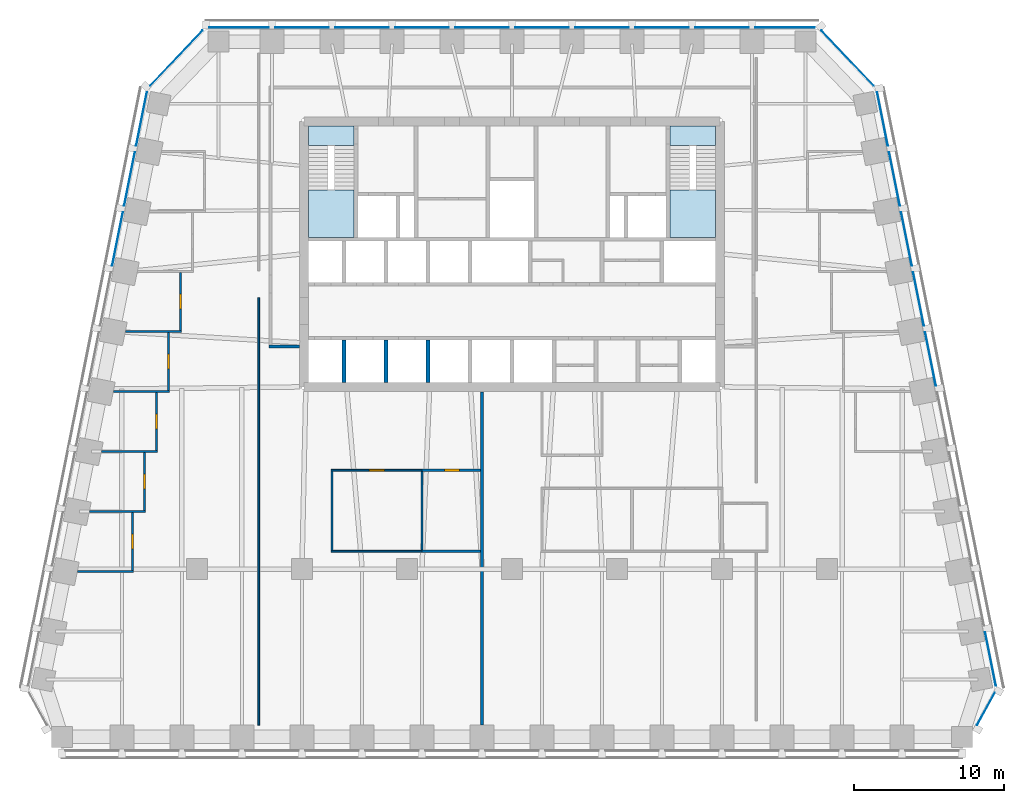
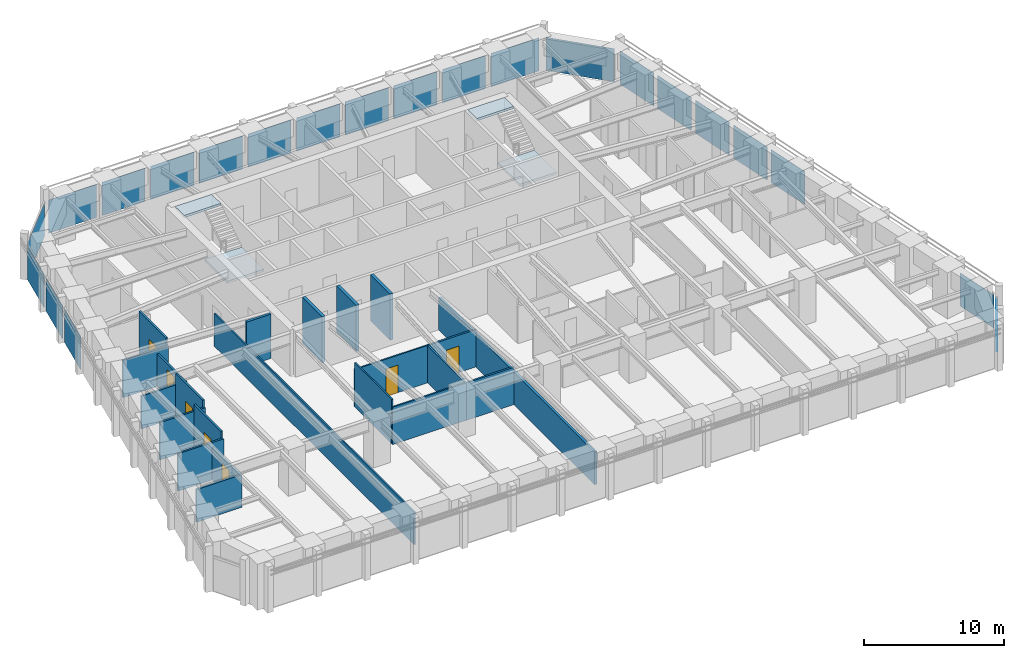
# One storey, part 5 of 10: 22 plates, 22 walls, 7 doors, 4 slabs, 7 openings, 8 elements without a shape of their own.
"""IFC4 building model written with IfcOpenShell, lengths in metres."""

import ifcopenshell
import ifcopenshell.guid

model = None  # the IFC model being written
_history = None  # IfcOwnerHistory: only IFC2X3 demands one
_inside = {}  # id of a spatial element -> (the spatial element, [elements in it])
_under = {}  # id of a project, library or spatial element -> (it, [spatial elements below it])
_declared = {}  # id of a project -> (the project, [libraries it declares])
_typed = {}  # id of a type object -> (the type object, [elements of that type])
_made_of = {}  # id of a material, layer set ... -> (it, [elements and type objects made of it])


def new_model(schema):
    """Start an empty IFC model of exactly this schema.

    Asked for "IFC4X3", IfcOpenShell would pick the latest addendum, in which some entities
    have other attributes; the version numbers below select the first issue.
    IFC2X3 requires an IfcOwnerHistory on every rooted entity: one is made here for all.
    """
    global model, _history
    if schema == "IFC4X3":
        model = ifcopenshell.file(schema_version=(4, 3, 0, 0))
    else:
        model = ifcopenshell.file(schema=schema)
    _inside.clear()
    _under.clear()
    _declared.clear()
    _typed.clear()
    _made_of.clear()
    _history = None
    if model.schema == "IFC2X3":
        org = make("IfcOrganization", Name="unknown")
        user = make(
            "IfcPersonAndOrganization",
            ThePerson=make("IfcPerson", FamilyName="unknown"),
            TheOrganization=org,
        )
        app = make(
            "IfcApplication",
            ApplicationDeveloper=org,
            Version="unknown",
            ApplicationFullName="unknown",
            ApplicationIdentifier="unknown",
        )
        _history = make(
            "IfcOwnerHistory",
            OwningUser=user,
            OwningApplication=app,
            ChangeAction="ADDED",
            CreationDate=0,
        )
    return model


def make(cls, **values):
    """One entity of the class cls with the attributes given. An attribute that is None is left unset."""
    return model.create_entity(
        cls, **{name: value for name, value in values.items() if value is not None}
    )


def rooted(cls, **values):
    """An entity with a GlobalId (a new one), such as an element, a storey or a relation."""
    return make(cls, GlobalId=ifcopenshell.guid.new(), OwnerHistory=_history, **values)


def si_unit(unit_type, name, prefix=None):
    """IfcSIUnit, for example si_unit("LENGTHUNIT", "METRE", prefix="MILLI")."""
    return make("IfcSIUnit", UnitType=unit_type, Prefix=prefix, Name=name)


def assignment(units):
    """IfcUnitAssignment: the units of a project."""
    return None if units is None else make("IfcUnitAssignment", Units=units)


def point(xyz):
    """IfcCartesianPoint."""
    return None if xyz is None else make("IfcCartesianPoint", Coordinates=xyz)


def direction(xyz):
    """IfcDirection."""
    return None if xyz is None else make("IfcDirection", DirectionRatios=xyz)


def frame(location, z_axis=None, x_axis=None):
    """IfcAxis2Placement3D, a coordinate frame: its origin and axes. An axis left out is left unset."""
    return make(
        "IfcAxis2Placement3D",
        Location=point(location),
        Axis=direction(z_axis),
        RefDirection=direction(x_axis),
    )


def frame_2d(location, x_axis=None):
    """IfcAxis2Placement2D, a coordinate frame in the plane: its origin and x axis."""
    return make(
        "IfcAxis2Placement2D", Location=point(location), RefDirection=direction(x_axis)
    )


def origin():
    """The frame at (0, 0, 0) with its axes left unset."""
    return frame((0.0, 0.0, 0.0))


def origin_2d():
    """The frame at (0, 0) in the plane with its x axis left unset."""
    return frame_2d((0.0, 0.0))


def place(relative_to, where):
    """IfcLocalPlacement: puts the frame where relative to a parent placement (None: the world)."""
    return make(
        "IfcLocalPlacement", PlacementRelTo=relative_to, RelativePlacement=where
    )


def context(
    kind, dimensions, precision=None, world=None, true_north=None, identifier=None
):
    """IfcGeometricRepresentationContext, for example the 3D "Model" context."""
    return make(
        "IfcGeometricRepresentationContext",
        ContextIdentifier=identifier,
        ContextType=kind,
        CoordinateSpaceDimension=dimensions,
        Precision=precision,
        WorldCoordinateSystem=world,
        TrueNorth=true_north,
    )


def subcontext(parent, identifier, kind, view, scale=None):
    """IfcGeometricRepresentationSubContext, for example "Body" below "Model"."""
    return make(
        "IfcGeometricRepresentationSubContext",
        ContextIdentifier=identifier,
        ContextType=kind,
        ParentContext=parent,
        TargetScale=scale,
        TargetView=view,
    )


def project(units=None, contexts=None):
    """IfcProject with its units and contexts."""
    return rooted(
        "IfcProject",
        Name="project",
        RepresentationContexts=contexts,
        UnitsInContext=assignment(units),
    )


def spatial(cls, under=None, at=None, **own):
    """A site, building, storey or space (cls), placed at a placement, below another one or the project."""
    s = rooted(cls, ObjectPlacement=at, **own)
    if under is not None:
        _under.setdefault(under.id(), (under, []))[1].append(s)
    return s


def polyline(points):
    """IfcPolyline through the points."""
    return make("IfcPolyline", Points=[point(p) for p in points])


def profile(cls, at=None, kind="AREA", **sizes):
    """A parametric profile (cls). Its sizes go by their IFC names, for example OverallWidth=200.0."""
    return make(cls, ProfileType=kind, Position=at, **sizes)


def rectangle(**sizes):
    """IfcRectangleProfileDef."""
    return profile("IfcRectangleProfileDef", **sizes)


def outline(outer, holes=None, kind="AREA"):
    """IfcArbitraryClosedProfileDef: a profile drawn as a closed curve; with holes, ...WithVoids."""
    if holes is None:
        return make("IfcArbitraryClosedProfileDef", ProfileType=kind, OuterCurve=outer)
    return make(
        "IfcArbitraryProfileDefWithVoids",
        ProfileType=kind,
        OuterCurve=outer,
        InnerCurves=holes,
    )


def extrude(swept, where, along, depth):
    """IfcExtrudedAreaSolid: the profile swept, set in the frame where, extruded along a direction by depth."""
    return make(
        "IfcExtrudedAreaSolid",
        SweptArea=swept,
        Position=where,
        ExtrudedDirection=direction(along),
        Depth=depth,
    )


def shape(context_of_items, identifier, shape_type, items):
    """IfcShapeRepresentation: the items that make up one representation, for example the "Body"."""
    return make(
        "IfcShapeRepresentation",
        ContextOfItems=context_of_items,
        RepresentationIdentifier=identifier,
        RepresentationType=shape_type,
        Items=items,
    )


def material(Name=None, Category=None):
    """IfcMaterial."""
    return make("IfcMaterial", Name=Name, Category=Category)


def layer(
    of_material, thickness, ventilated=None, Name=None, Category=None, Priority=None
):
    """IfcMaterialLayer: one layer of a wall or slab, of a material (None: an air gap)."""
    return make(
        "IfcMaterialLayer",
        Material=of_material,
        LayerThickness=thickness,
        IsVentilated=ventilated,
        Name=Name,
        Category=Category,
        Priority=Priority,
    )


def layer_set(layers, Name=None):
    """IfcMaterialLayerSet."""
    return make("IfcMaterialLayerSet", MaterialLayers=layers, LayerSetName=Name)


def made_of(thing, what):
    """Note that an element or type object is made of a material, layer set ...; save() writes the relation."""
    if what is not None:
        _made_of.setdefault(what.id(), (what, []))[1].append(thing)
    return thing


def type_object(cls, material=None, **own):
    """A type object (cls), such as IfcWallType, which elements share."""
    return made_of(rooted(cls, **own), material)


def element(
    cls,
    number,
    at=None,
    inside=None,
    cuts=None,
    type_object=None,
    material=None,
    context=None,
    identifier="Body",
    shape_type=None,
    held_by="IfcProductDefinitionShape",
    body=None,
    shapes=None,
    **own,
):
    """One element of the class cls, such as IfcWall. Its Tag is "e" and its number.

    at: its placement. inside: the storey or other place that contains it. cuts: it is an
    opening in that element (IfcRelVoidsElement). A single representation is given by context,
    identifier, shape_type and body (its items); several are given by shapes. held_by: the class
    of the entity that holds the representations. save() writes the other relations.
    """
    e = rooted(cls, Tag="e%d" % number, ObjectPlacement=at, **own)
    if body is not None:
        shapes = [shape(context, identifier, shape_type, body)]
    if shapes is not None:
        e.Representation = make(held_by, Representations=shapes)
    if inside is not None:
        _inside.setdefault(inside.id(), (inside, []))[1].append(e)
    if cuts is not None:
        rooted(
            "IfcRelVoidsElement", RelatingBuildingElement=cuts, RelatedOpeningElement=e
        )
    if type_object is not None:
        _typed.setdefault(type_object.id(), (type_object, []))[1].append(e)
    return made_of(e, material)


def fill(opening, filler):
    """IfcRelFillsElement: the door or window that sits in an opening."""
    return rooted(
        "IfcRelFillsElement",
        RelatingOpeningElement=opening,
        RelatedBuildingElement=filler,
    )


def aggregate(whole, parts):
    """IfcRelAggregates: a whole, such as a stair, and the parts it consists of."""
    return rooted("IfcRelAggregates", RelatingObject=whole, RelatedObjects=parts)


def save(model, path):
    """Write the relations noted so far, then the file.

    IfcRelAggregates (storeys below a building ...), IfcRelContainedInSpatialStructure (elements
    in a storey), IfcRelDefinesByType, IfcRelAssociatesMaterial and IfcRelDeclares: one each for
    every whole, place, type object, material and project.
    """
    for whole, parts in _under.values():
        aggregate(whole, parts)
    for where, things in _inside.values():
        rooted(
            "IfcRelContainedInSpatialStructure",
            RelatedElements=things,
            RelatingStructure=where,
        )
    for kind, things in _typed.values():
        rooted("IfcRelDefinesByType", RelatedObjects=things, RelatingType=kind)
    for what, things in _made_of.values():
        rooted("IfcRelAssociatesMaterial", RelatedObjects=things, RelatingMaterial=what)
    for by, libraries in _declared.values():
        rooted("IfcRelDeclares", RelatingContext=by, RelatedDefinitions=libraries)
    model.write(path)


model = new_model("IFC4")

# Units and contexts
model_context = context("Model", 3, precision=1e-05, world=origin(), true_north=direction((0.0, 1.0)))
body_context = subcontext(model_context, "Body", "Model", "MODEL_VIEW")
ifc_project = project(units=[si_unit("LENGTHUNIT", "METRE"), si_unit("AREAUNIT", "SQUARE_METRE"), si_unit("VOLUMEUNIT", "CUBIC_METRE"), si_unit("PLANEANGLEUNIT", "RADIAN"), si_unit("MASSUNIT", "GRAM", prefix="KILO")], contexts=[model_context])

# Site, building, storey
site_placement = place(None, origin())
site = spatial("IfcSite", under=ifc_project, at=site_placement, CompositionType="ELEMENT")
building_placement = place(site_placement, origin())
building = spatial("IfcBuilding", under=site, at=building_placement, Name="Isbrekke Arena Tower", CompositionType="ELEMENT")
storey_placement = place(building_placement, frame((0.0, 0.0, 190.0)))
storey = spatial("IfcBuildingStorey", under=building, at=storey_placement, Name="L43", CompositionType="ELEMENT", Elevation=190.0)

# Curtain wall, plate
ifc_material_1 = material(Name="Glazed aluminium curtain wall", Category="aluminium")
curtain_wall_type = type_object("IfcCurtainWallType", Name="CWH TOWER CURTAIN WALL HIGH ZONE", PredefinedType="USERDEFINED", material=ifc_material_1)
curtain_wall_1_placement = place(storey_placement, origin())
curtain_wall_1 = element("IfcCurtainWall", 1, at=curtain_wall_1_placement, inside=storey, type_object=curtain_wall_type, Name="CWH curtain wall L43-SE", ObjectType="TOWER CURTAIN WALL HIGH ZONE", PredefinedType="USERDEFINED")
ifc_material_2 = material(Name="Triple-glazed clear glass unit", Category="glass")
ifc_layer_1 = layer(ifc_material_2, 0.031982421875)
ifc_layer_set_1 = layer_set([ifc_layer_1], Name="CWH-P VISION PANEL")
plate_type = type_object("IfcPlateType", Name="CWH-P VISION PANEL", PredefinedType="CURTAIN_PANEL", material=ifc_layer_set_1)
plate_1_placement = place(storey_placement, frame((31.5908203125, -15.3154296875, 0.02001953125), z_axis=(0.0, 0.0, 1.0), x_axis=(0.481918749773, 0.876215908676, 0.0)))
plate_1 = element("IfcPlate", 2, at=plate_1_placement, type_object=plate_type, Name="CWH-P panel 1", PredefinedType="CURTAIN_PANEL", context=body_context, shape_type="SweptSolid", body=[
    extrude(rectangle(XDim=2.4423828125, YDim=0.031982421875, at=origin_2d()), origin(), (0.0, 0.0, 1.0), 2.8798828125),
])
aggregate(curtain_wall_1, [plate_1])

# Curtain wall, plates
curtain_wall_2_placement = place(storey_placement, origin())
curtain_wall_2 = element("IfcCurtainWall", 3, at=curtain_wall_2_placement, inside=storey, type_object=curtain_wall_type, Name="CWH curtain wall L43-E", ObjectType="TOWER CURTAIN WALL HIGH ZONE", PredefinedType="USERDEFINED")
plate_2_placement = place(storey_placement, frame((31.89794921875, -11.98046875, 0.02001953125), z_axis=(0.0, 0.0, 1.0), x_axis=(-0.196116135138, 0.980580675691, 0.0)))
plate_2 = element("IfcPlate", 4, at=plate_2_placement, type_object=plate_type, Name="CWH-P panel 1", PredefinedType="CURTAIN_PANEL", context=body_context, shape_type="SweptSolid", body=[
    extrude(rectangle(XDim=3.629150390625, YDim=0.031982421875, at=origin_2d()), origin(), (0.0, 0.0, 1.0), 2.8798828125),
])
plate_3_placement = place(storey_placement, frame((27.89794921875, 8.01953125, 0.02001953125), z_axis=(0.0, 0.0, 1.0), x_axis=(-0.196116135138, 0.980580675691, 0.0)))
plate_3 = element("IfcPlate", 5, at=plate_3_placement, type_object=plate_type, Name="CWH-P panel 6", PredefinedType="CURTAIN_PANEL", context=body_context, shape_type="SweptSolid", body=[
    extrude(rectangle(XDim=3.629150390625, YDim=0.031982421875, at=origin_2d()), origin(), (0.0, 0.0, 1.0), 2.8798828125),
])
plate_4_placement = place(storey_placement, frame((27.09814453125, 12.01953125, 0.02001953125), z_axis=(0.0, 0.0, 1.0), x_axis=(-0.196116135138, 0.980580675691, 0.0)))
plate_4 = element("IfcPlate", 6, at=plate_4_placement, type_object=plate_type, Name="CWH-P panel 7", PredefinedType="CURTAIN_PANEL", context=body_context, shape_type="SweptSolid", body=[
    extrude(rectangle(XDim=3.629150390625, YDim=0.031982421875, at=origin_2d()), origin(), (0.0, 0.0, 1.0), 2.8798828125),
])
plate_5_placement = place(storey_placement, frame((26.298095703125, 16.01953125, 0.02001953125), z_axis=(0.0, 0.0, 1.0), x_axis=(-0.196116135138, 0.980580675691, 0.0)))
plate_5 = element("IfcPlate", 7, at=plate_5_placement, type_object=plate_type, Name="CWH-P panel 8", PredefinedType="CURTAIN_PANEL", context=body_context, shape_type="SweptSolid", body=[
    extrude(rectangle(XDim=3.629150390625, YDim=0.031982421875, at=origin_2d()), origin(), (0.0, 0.0, 1.0), 2.8798828125),
])
plate_6_placement = place(storey_placement, frame((25.498046875, 20.01953125, 0.02001953125), z_axis=(0.0, 0.0, 1.0), x_axis=(-0.196116135138, 0.980580675691, 0.0)))
plate_6 = element("IfcPlate", 8, at=plate_6_placement, type_object=plate_type, Name="CWH-P panel 9", PredefinedType="CURTAIN_PANEL", context=body_context, shape_type="SweptSolid", body=[
    extrude(rectangle(XDim=3.629150390625, YDim=0.031982421875, at=origin_2d()), origin(), (0.0, 0.0, 1.0), 2.8798828125),
])
plate_7_placement = place(storey_placement, frame((24.697998046875, 24.01953125, 0.02001953125), z_axis=(0.0, 0.0, 1.0), x_axis=(-0.196116135138, 0.980580675691, 0.0)))
plate_7 = element("IfcPlate", 9, at=plate_7_placement, type_object=plate_type, Name="CWH-P panel 10", PredefinedType="CURTAIN_PANEL", context=body_context, shape_type="SweptSolid", body=[
    extrude(rectangle(XDim=3.629150390625, YDim=0.031982421875, at=origin_2d()), origin(), (0.0, 0.0, 1.0), 2.8798828125),
])
aggregate(curtain_wall_2, [plate_2, plate_3, plate_4, plate_5, plate_6, plate_7])

# Curtain wall, plate
curtain_wall_3_placement = place(storey_placement, origin())
curtain_wall_3 = element("IfcCurtainWall", 10, at=curtain_wall_3_placement, inside=storey, type_object=curtain_wall_type, Name="CWH curtain wall L43-EN", ObjectType="TOWER CURTAIN WALL HIGH ZONE", PredefinedType="USERDEFINED")
plate_8_placement = place(storey_placement, frame((22.37255859375, 28.06884765625, 0.02001953125), z_axis=(0.0, 0.0, 1.0), x_axis=(-0.68874946192, 0.72499943359, 0.0)))
plate_8 = element("IfcPlate", 11, at=plate_8_placement, type_object=plate_type, Name="CWH-P panel 1", PredefinedType="CURTAIN_PANEL", context=body_context, shape_type="SweptSolid", body=[
    extrude(rectangle(XDim=5.067138671875, YDim=0.031982421875, at=origin_2d()), origin(), (0.0, 0.0, 1.0), 2.8798828125),
])
aggregate(curtain_wall_3, [plate_8])

# Curtain wall, plates
curtain_wall_4_placement = place(storey_placement, origin())
curtain_wall_4 = element("IfcCurtainWall", 12, at=curtain_wall_4_placement, inside=storey, type_object=curtain_wall_type, Name="CWH curtain wall L43-N", ObjectType="TOWER CURTAIN WALL HIGH ZONE", PredefinedType="USERDEFINED")
plate_9_placement = place(storey_placement, frame((18.199951171875, 30.10009765625, 0.02001953125), z_axis=(0.0, 0.0, 1.0), x_axis=(-1.0, 0.0, 0.0)))
plate_9 = element("IfcPlate", 13, at=plate_9_placement, type_object=plate_type, Name="CWH-P panel 1", PredefinedType="CURTAIN_PANEL", context=body_context, shape_type="SweptSolid", body=[
    extrude(rectangle(XDim=3.949951171875, YDim=0.031982421875, at=origin_2d()), origin(), (0.0, 0.0, 1.0), 2.8798828125),
])
plate_10_placement = place(storey_placement, frame((14.0, 30.10009765625, 0.02001953125), z_axis=(0.0, 0.0, 1.0), x_axis=(-1.0, 0.0, 0.0)))
plate_10 = element("IfcPlate", 14, at=plate_10_placement, type_object=plate_type, Name="CWH-P panel 2", PredefinedType="CURTAIN_PANEL", context=body_context, shape_type="SweptSolid", body=[
    extrude(rectangle(XDim=3.550048828125, YDim=0.031982421875, at=origin_2d()), origin(), (0.0, 0.0, 1.0), 2.8798828125),
])
plate_11_placement = place(storey_placement, frame((10.0, 30.10009765625, 0.02001953125), z_axis=(0.0, 0.0, 1.0), x_axis=(-1.0, 0.0, 0.0)))
plate_11 = element("IfcPlate", 15, at=plate_11_placement, type_object=plate_type, Name="CWH-P panel 3", PredefinedType="CURTAIN_PANEL", context=body_context, shape_type="SweptSolid", body=[
    extrude(rectangle(XDim=3.550048828125, YDim=0.031982421875, at=origin_2d()), origin(), (0.0, 0.0, 1.0), 2.8798828125),
])
plate_12_placement = place(storey_placement, frame((6.0, 30.10009765625, 0.02001953125), z_axis=(0.0, 0.0, 1.0), x_axis=(-1.0, 0.0, 0.0)))
plate_12 = element("IfcPlate", 16, at=plate_12_placement, type_object=plate_type, Name="CWH-P panel 4", PredefinedType="CURTAIN_PANEL", context=body_context, shape_type="SweptSolid", body=[
    extrude(rectangle(XDim=3.550048828125, YDim=0.031982421875, at=origin_2d()), origin(), (0.0, 0.0, 1.0), 2.8798828125),
])
plate_13_placement = place(storey_placement, frame((2.0, 30.10009765625, 0.02001953125), z_axis=(0.0, 0.0, 1.0), x_axis=(-1.0, 0.0, 0.0)))
plate_13 = element("IfcPlate", 17, at=plate_13_placement, type_object=plate_type, Name="CWH-P panel 5", PredefinedType="CURTAIN_PANEL", context=body_context, shape_type="SweptSolid", body=[
    extrude(rectangle(XDim=3.550048828125, YDim=0.031982421875, at=origin_2d()), origin(), (0.0, 0.0, 1.0), 2.8798828125),
])
plate_14_placement = place(storey_placement, frame((-2.0, 30.10009765625, 0.02001953125), z_axis=(0.0, 0.0, 1.0), x_axis=(-1.0, 0.0, 0.0)))
plate_14 = element("IfcPlate", 18, at=plate_14_placement, type_object=plate_type, Name="CWH-P panel 6", PredefinedType="CURTAIN_PANEL", context=body_context, shape_type="SweptSolid", body=[
    extrude(rectangle(XDim=3.550048828125, YDim=0.031982421875, at=origin_2d()), origin(), (0.0, 0.0, 1.0), 2.8798828125),
])
plate_15_placement = place(storey_placement, frame((-6.0, 30.10009765625, 0.02001953125), z_axis=(0.0, 0.0, 1.0), x_axis=(-1.0, 0.0, 0.0)))
plate_15 = element("IfcPlate", 19, at=plate_15_placement, type_object=plate_type, Name="CWH-P panel 7", PredefinedType="CURTAIN_PANEL", context=body_context, shape_type="SweptSolid", body=[
    extrude(rectangle(XDim=3.550048828125, YDim=0.031982421875, at=origin_2d()), origin(), (0.0, 0.0, 1.0), 2.8798828125),
])
plate_16_placement = place(storey_placement, frame((-10.0, 30.10009765625, 0.02001953125), z_axis=(0.0, 0.0, 1.0), x_axis=(-1.0, 0.0, 0.0)))
plate_16 = element("IfcPlate", 20, at=plate_16_placement, type_object=plate_type, Name="CWH-P panel 8", PredefinedType="CURTAIN_PANEL", context=body_context, shape_type="SweptSolid", body=[
    extrude(rectangle(XDim=3.550048828125, YDim=0.031982421875, at=origin_2d()), origin(), (0.0, 0.0, 1.0), 2.8798828125),
])
plate_17_placement = place(storey_placement, frame((-14.0, 30.10009765625, 0.02001953125), z_axis=(0.0, 0.0, 1.0), x_axis=(-1.0, 0.0, 0.0)))
plate_17 = element("IfcPlate", 21, at=plate_17_placement, type_object=plate_type, Name="CWH-P panel 9", PredefinedType="CURTAIN_PANEL", context=body_context, shape_type="SweptSolid", body=[
    extrude(rectangle(XDim=3.550048828125, YDim=0.031982421875, at=origin_2d()), origin(), (0.0, 0.0, 1.0), 2.8798828125),
])
plate_18_placement = place(storey_placement, frame((-18.199951171875, 30.10009765625, 0.02001953125), z_axis=(0.0, 0.0, 1.0), x_axis=(-1.0, 0.0, 0.0)))
plate_18 = element("IfcPlate", 22, at=plate_18_placement, type_object=plate_type, Name="CWH-P panel 10", PredefinedType="CURTAIN_PANEL", context=body_context, shape_type="SweptSolid", body=[
    extrude(rectangle(XDim=3.949951171875, YDim=0.031982421875, at=origin_2d()), origin(), (0.0, 0.0, 1.0), 2.8798828125),
])
aggregate(curtain_wall_4, [plate_9, plate_10, plate_11, plate_12, plate_13, plate_14, plate_15, plate_16, plate_17, plate_18])

# Curtain wall, plate
curtain_wall_5_placement = place(storey_placement, origin())
curtain_wall_5 = element("IfcCurtainWall", 23, at=curtain_wall_5_placement, inside=storey, type_object=curtain_wall_type, Name="CWH curtain wall L43-NW", ObjectType="TOWER CURTAIN WALL HIGH ZONE", PredefinedType="USERDEFINED")
plate_19_placement = place(storey_placement, frame((-22.37255859375, 28.06884765625, 0.02001953125), z_axis=(0.0, 0.0, 1.0), x_axis=(-0.68874946192, -0.72499943359, 0.0)))
plate_19 = element("IfcPlate", 24, at=plate_19_placement, type_object=plate_type, Name="CWH-P panel 1", PredefinedType="CURTAIN_PANEL", context=body_context, shape_type="SweptSolid", body=[
    extrude(rectangle(XDim=5.067138671875, YDim=0.031982421875, at=origin_2d()), origin(), (0.0, 0.0, 1.0), 2.8798828125),
])
aggregate(curtain_wall_5, [plate_19])

# Curtain wall, plates
curtain_wall_6_placement = place(storey_placement, origin())
curtain_wall_6 = element("IfcCurtainWall", 25, at=curtain_wall_6_placement, inside=storey, type_object=curtain_wall_type, Name="CWH curtain wall L43-W", ObjectType="TOWER CURTAIN WALL HIGH ZONE", PredefinedType="USERDEFINED")
plate_20_placement = place(storey_placement, frame((-24.697998046875, 24.01953125, 0.02001953125), z_axis=(0.0, 0.0, 1.0), x_axis=(-0.196116135138, -0.980580675691, 0.0)))
plate_20 = element("IfcPlate", 26, at=plate_20_placement, type_object=plate_type, Name="CWH-P panel 1", PredefinedType="CURTAIN_PANEL", context=body_context, shape_type="SweptSolid", body=[
    extrude(rectangle(XDim=3.629150390625, YDim=0.031982421875, at=origin_2d()), origin(), (0.0, 0.0, 1.0), 2.8798828125),
])
plate_21_placement = place(storey_placement, frame((-25.498046875, 20.01953125, 0.02001953125), z_axis=(0.0, 0.0, 1.0), x_axis=(-0.196116135138, -0.980580675691, 0.0)))
plate_21 = element("IfcPlate", 27, at=plate_21_placement, type_object=plate_type, Name="CWH-P panel 2", PredefinedType="CURTAIN_PANEL", context=body_context, shape_type="SweptSolid", body=[
    extrude(rectangle(XDim=3.629150390625, YDim=0.031982421875, at=origin_2d()), origin(), (0.0, 0.0, 1.0), 2.8798828125),
])
plate_22_placement = place(storey_placement, frame((-26.298095703125, 16.01953125, 0.02001953125), z_axis=(0.0, 0.0, 1.0), x_axis=(-0.196116135138, -0.980580675691, 0.0)))
plate_22 = element("IfcPlate", 28, at=plate_22_placement, type_object=plate_type, Name="CWH-P panel 3", PredefinedType="CURTAIN_PANEL", context=body_context, shape_type="SweptSolid", body=[
    extrude(rectangle(XDim=3.629150390625, YDim=0.031982421875, at=origin_2d()), origin(), (0.0, 0.0, 1.0), 2.8798828125),
])
aggregate(curtain_wall_6, [plate_20, plate_21, plate_22])

# Stair, slabs
ifc_material_3 = material(Name="Concrete B45 (C45/55) precast", Category="concrete")
stair_type = type_object("IfcStairType", Name="ST40 STAIR 1300 WIDE, 24 RISERS 167", PredefinedType="HALF_TURN_STAIR", material=ifc_material_3)
stair_1_placement = place(storey_placement, origin())
stair_1 = element("IfcStair", 29, at=stair_1_placement, inside=storey, type_object=stair_type, Name="ST1 stair L43", PredefinedType="HALF_TURN_STAIR")
ifc_material_4 = material(Name="Concrete B35 (C35/45)", Category="concrete")
ifc_layer_2 = layer(ifc_material_4, 0.199951171875)
ifc_layer_set_2 = layer_set([ifc_layer_2], Name="SL1 STAIR LANDING 200")
slab_type = type_object("IfcSlabType", Name="SL1 STAIR LANDING 200", PredefinedType="LANDING", material=ifc_layer_set_2)
slab_1_placement = place(storey_placement, frame((0.0, 0.0, 1.800048828125)))
slab_1 = element("IfcSlab", 30, at=slab_1_placement, type_object=slab_type, Name="ST1 landing 1", PredefinedType="LANDING", context=body_context, shape_type="SweptSolid", body=[
    extrude(outline(polyline([(-13.550048828125, 16.125), (-10.52490234375, 16.125), (-10.52490234375, 19.280029296875), (-13.550048828125, 19.280029296875), (-13.550048828125, 16.125)])), origin(), (0.0, 0.0, 1.0), 0.199951171875),
])
slab_2_placement = place(storey_placement, frame((0.0, 0.0, 3.800048828125)))
slab_2 = element("IfcSlab", 31, at=slab_2_placement, type_object=slab_type, Name="ST1 landing 2", PredefinedType="LANDING", context=body_context, shape_type="SweptSolid", body=[
    extrude(outline(polyline([(-13.550048828125, 22.25), (-10.52490234375, 22.25), (-10.52490234375, 23.550048828125), (-13.550048828125, 23.550048828125), (-13.550048828125, 22.25)])), origin(), (0.0, 0.0, 1.0), 0.199951171875),
])
aggregate(stair_1, [slab_1, slab_2])

stair_2_placement = place(storey_placement, origin())
stair_2 = element("IfcStair", 32, at=stair_2_placement, inside=storey, type_object=stair_type, Name="ST2 stair L43", PredefinedType="HALF_TURN_STAIR")
slab_3_placement = place(storey_placement, frame((0.0, 0.0, 1.800048828125)))
slab_3 = element("IfcSlab", 33, at=slab_3_placement, type_object=slab_type, Name="ST2 landing 1", PredefinedType="LANDING", context=body_context, shape_type="SweptSolid", body=[
    extrude(outline(polyline([(10.52490234375, 16.125), (13.550048828125, 16.125), (13.550048828125, 19.280029296875), (10.52490234375, 19.280029296875), (10.52490234375, 16.125)])), origin(), (0.0, 0.0, 1.0), 0.199951171875),
])
slab_4_placement = place(storey_placement, frame((0.0, 0.0, 3.800048828125)))
slab_4 = element("IfcSlab", 34, at=slab_4_placement, type_object=slab_type, Name="ST2 landing 2", PredefinedType="LANDING", context=body_context, shape_type="SweptSolid", body=[
    extrude(outline(polyline([(10.52490234375, 22.25), (13.550048828125, 22.25), (13.550048828125, 23.550048828125), (10.52490234375, 23.550048828125), (10.52490234375, 22.25)])), origin(), (0.0, 0.0, 1.0), 0.199951171875),
])
aggregate(stair_2, [slab_3, slab_4])

# Walls
ifc_material_5 = material(Name="Concrete B45 (C45/55)", Category="concrete")
ifc_layer_3 = layer(ifc_material_5, 0.25)
ifc_layer_set_3 = layer_set([ifc_layer_3], Name="CW6 SHAFT WALL 250")
wall_type_1 = type_object("IfcWallType", Name="CW6 SHAFT WALL 250", PredefinedType="SHEAR", material=ifc_layer_set_3)
for number, where, z_axis, x_axis, name in (
    (35, (-11.199951171875, 6.449951171875, 0.0), (0.0, 0.0, 1.0), (0.0, 1.0, 0.0), "Core wall SS01 L43"),
    (36, (-8.39990234375, 6.449951171875, 0.0), (0.0, 0.0, 1.0), (0.0, 1.0, 0.0), "Core wall SS02 L43"),
    (37, (-5.60009765625, 6.449951171875, 0.0), (0.0, 0.0, 1.0), (0.0, 1.0, 0.0), "Core wall SS03 L43"),
):
    element("IfcWall", number, at=place(storey_placement, frame(where, z_axis=z_axis, x_axis=x_axis)), inside=storey, type_object=wall_type_1, Name=name, PredefinedType="SHEAR", context=body_context, shape_type="SweptSolid", body=[
        extrude(rectangle(XDim=2.824951171875, YDim=0.25, at=frame_2d((1.41259765625, 0.0))), origin(), (0.0, 0.0, 1.0), 4.0),
    ])
ifc_material_6 = material(Name="Gypsum board partition on steel studs", Category="steel")
ifc_layer_4 = layer(ifc_material_6, 0.14990234375)
ifc_layer_set_4 = layer_set([ifc_layer_4], Name="IW1 PARTITION 150")
wall_type_2 = type_object("IfcWallType", Name="IW1 PARTITION 150", PredefinedType="PARTITIONING", material=ifc_layer_set_4)
wall_1_placement = place(storey_placement, frame((-28.974853515625, -6.159912109375, 0.0), z_axis=(0.0, 0.0, 1.0), x_axis=(1.0, 0.0, 0.0)))
element("IfcWall", 38, at=wall_1_placement, inside=storey, type_object=wall_type_2, Name="IW1 partition 150 L43", PredefinedType="PARTITIONING", context=body_context, shape_type="SweptSolid", body=[
    extrude(rectangle(XDim=3.749755859375, YDim=0.14990234375, at=frame_2d((1.875, 0.0))), origin(), (0.0, 0.0, 1.0), 2.842041015625),
])
wall_2_placement = place(storey_placement, frame((-6.0, -4.800048828125, 0.0), z_axis=(0.0, 0.0, 1.0), x_axis=(1.0, 0.0, 0.0)))
element("IfcWall", 39, at=wall_2_placement, inside=storey, type_object=wall_type_2, Name="IW1 partition 150 L43", PredefinedType="PARTITIONING", context=body_context, shape_type="SweptSolid", body=[
    extrude(rectangle(XDim=3.89990234375, YDim=0.14990234375, at=frame_2d((1.949951171875, 0.0))), origin(), (0.0, 0.0, 1.0), 3.25),
])
wall_3_placement = place(storey_placement, frame((-28.1748046875, -2.159912109375, 0.0), z_axis=(0.0, 0.0, 1.0), x_axis=(1.0, 0.0, 0.0)))
element("IfcWall", 40, at=wall_3_placement, inside=storey, type_object=wall_type_2, Name="IW1 partition 150 L43", PredefinedType="PARTITIONING", context=body_context, shape_type="SweptSolid", body=[
    extrude(rectangle(XDim=3.749755859375, YDim=0.14990234375, at=frame_2d((1.875, 0.0))), origin(), (0.0, 0.0, 1.0), 3.25),
])

# Wall, opening, door
wall_4_placement = place(storey_placement, frame((-6.0, 0.60009765625, 0.0), z_axis=(0.0, 0.0, 1.0), x_axis=(1.0, 0.0, 0.0)))
wall_4 = element("IfcWall", 41, at=wall_4_placement, inside=storey, type_object=wall_type_2, Name="IW1 partition 150 L43", PredefinedType="PARTITIONING", context=body_context, shape_type="SweptSolid", body=[
    extrude(rectangle(XDim=3.89990234375, YDim=0.14990234375, at=frame_2d((1.949951171875, 0.0))), origin(), (0.0, 0.0, 1.0), 3.25),
])
opening_1_placement = place(wall_4_placement, frame((1.5, 0.0, 0.0)))
opening_1 = element("IfcOpeningElement", 42, at=opening_1_placement, cuts=wall_4, Name="Opening D10", PredefinedType="OPENING", context=body_context, shape_type="SweptSolid", body=[
    extrude(rectangle(XDim=1.0, YDim=2.300048828125, at=frame_2d((0.5, 1.14990234375))), frame((0.0, 0.08984375, 0.0), z_axis=(0.0, -1.0, 0.0), x_axis=(1.0, 0.0, 0.0)), (0.0, 0.0, 1.0), 0.1796875),
])
ifc_material_7 = material(Name="Timber door", Category="wood")
door_type_1 = type_object("IfcDoorType", Name="D10 OFFICE DOOR 1000 x 2300", OperationType="SINGLE_SWING_LEFT", PredefinedType="DOOR", material=ifc_material_7)
door_1_placement = place(opening_1_placement, origin())
door_1 = element("IfcDoor", 43, at=door_1_placement, inside=storey, type_object=door_type_1, Name="D10 pantry door L43", OperationType="SINGLE_SWING_LEFT", OverallHeight=2.300048828125, OverallWidth=1.0, PredefinedType="DOOR", context=body_context, shape_type="SweptSolid", body=[
    extrude(rectangle(XDim=1.0, YDim=2.300048828125, at=frame_2d((0.5, 1.14990234375))), frame((0.0, 0.07470703125, 0.0), z_axis=(0.0, -1.0, 0.0), x_axis=(1.0, 0.0, 0.0)), (0.0, 0.0, 1.0), 0.1494140625),
])
fill(opening_1, door_1)

# Walls
wall_5_placement = place(storey_placement, frame((-27.374755859375, 1.840087890625, 0.0), z_axis=(0.0, 0.0, 1.0), x_axis=(1.0, 0.0, 0.0)))
element("IfcWall", 44, at=wall_5_placement, inside=storey, type_object=wall_type_2, Name="IW1 partition 150 L43", PredefinedType="PARTITIONING", context=body_context, shape_type="SweptSolid", body=[
    extrude(rectangle(XDim=3.749755859375, YDim=0.14990234375, at=frame_2d((1.875, 0.0))), origin(), (0.0, 0.0, 1.0), 3.25),
])
wall_6_placement = place(storey_placement, frame((-26.57470703125, 5.840087890625, 0.0), z_axis=(0.0, 0.0, 1.0), x_axis=(1.0, 0.0, 0.0)))
element("IfcWall", 45, at=wall_6_placement, inside=storey, type_object=wall_type_2, Name="IW1 partition 150 L43", PredefinedType="PARTITIONING", context=body_context, shape_type="SweptSolid", body=[
    extrude(rectangle(XDim=3.749755859375, YDim=0.14990234375, at=frame_2d((1.875, 0.0))), origin(), (0.0, 0.0, 1.0), 2.842041015625),
])
wall_7_placement = place(storey_placement, frame((-25.77490234375, 9.840087890625, 0.0), z_axis=(0.0, 0.0, 1.0), x_axis=(1.0, 0.0, 0.0)))
element("IfcWall", 46, at=wall_7_placement, inside=storey, type_object=wall_type_2, Name="IW1 partition 150 L43", PredefinedType="PARTITIONING", context=body_context, shape_type="SweptSolid", body=[
    extrude(rectangle(XDim=3.75, YDim=0.14990234375, at=frame_2d((1.875, 0.0))), origin(), (0.0, 0.0, 1.0), 3.25),
])

# Wall, opening, door
wall_8_placement = place(storey_placement, frame((-25.300048828125, -6.0849609375, 0.0), z_axis=(0.0, 0.0, 1.0), x_axis=(0.0, 1.0, 0.0)))
wall_8 = element("IfcWall", 47, at=wall_8_placement, inside=storey, type_object=wall_type_2, Name="IW1 partition 150 L43", PredefinedType="PARTITIONING", context=body_context, shape_type="SweptSolid", body=[
    extrude(rectangle(XDim=3.849853515625, YDim=0.14990234375, at=frame_2d((1.9248046875, 0.0))), origin(), (0.0, 0.0, 1.0), 2.842041015625),
])
opening_2_placement = place(wall_8_placement, frame((1.425048828125, 0.0, 0.0)))
opening_2 = element("IfcOpeningElement", 48, at=opening_2_placement, cuts=wall_8, Name="Opening D10", PredefinedType="OPENING", context=body_context, shape_type="SweptSolid", body=[
    extrude(rectangle(XDim=1.0, YDim=2.300048828125, at=frame_2d((0.5, 1.14990234375))), frame((0.0, 0.08984375, 0.0), z_axis=(0.0, -1.0, 0.0), x_axis=(1.0, 0.0, 0.0)), (0.0, 0.0, 1.0), 0.1796875),
])
door_2_placement = place(opening_2_placement, origin())
door_2 = element("IfcDoor", 49, at=door_2_placement, inside=storey, type_object=door_type_1, Name="D10 office door L43", OperationType="SINGLE_SWING_LEFT", OverallHeight=2.300048828125, OverallWidth=1.0, PredefinedType="DOOR", context=body_context, shape_type="SweptSolid", body=[
    extrude(rectangle(XDim=1.0, YDim=2.300048828125, at=frame_2d((0.5, 1.14990234375))), frame((0.0, 0.07470703125, 0.0), z_axis=(0.0, -1.0, 0.0), x_axis=(1.0, 0.0, 0.0)), (0.0, 0.0, 1.0), 0.1494140625),
])
fill(opening_2, door_2)

wall_9_placement = place(storey_placement, frame((-24.5, -2.0849609375, 0.0), z_axis=(0.0, 0.0, 1.0), x_axis=(0.0, 1.0, 0.0)))
wall_9 = element("IfcWall", 50, at=wall_9_placement, inside=storey, type_object=wall_type_2, Name="IW1 partition 150 L43", PredefinedType="PARTITIONING", context=body_context, shape_type="SweptSolid", body=[
    extrude(rectangle(XDim=3.849853515625, YDim=0.14990234375, at=frame_2d((1.9248046875, 0.0))), origin(), (0.0, 0.0, 1.0), 3.85009765625),
])
opening_3_placement = place(wall_9_placement, frame((1.425048828125, 0.0, 0.0)))
opening_3 = element("IfcOpeningElement", 51, at=opening_3_placement, cuts=wall_9, Name="Opening D10", PredefinedType="OPENING", context=body_context, shape_type="SweptSolid", body=[
    extrude(rectangle(XDim=1.0, YDim=2.300048828125, at=frame_2d((0.5, 1.14990234375))), frame((0.0, 0.08984375, 0.0), z_axis=(0.0, -1.0, 0.0), x_axis=(1.0, 0.0, 0.0)), (0.0, 0.0, 1.0), 0.1796875),
])
door_3_placement = place(opening_3_placement, origin())
door_3 = element("IfcDoor", 52, at=door_3_placement, inside=storey, type_object=door_type_1, Name="D10 office door L43", OperationType="SINGLE_SWING_LEFT", OverallHeight=2.300048828125, OverallWidth=1.0, PredefinedType="DOOR", context=body_context, shape_type="SweptSolid", body=[
    extrude(rectangle(XDim=1.0, YDim=2.300048828125, at=frame_2d((0.5, 1.14990234375))), frame((0.0, 0.07470703125, 0.0), z_axis=(0.0, -1.0, 0.0), x_axis=(1.0, 0.0, 0.0)), (0.0, 0.0, 1.0), 0.1494140625),
])
fill(opening_3, door_3)

wall_10_placement = place(storey_placement, frame((-23.699951171875, 1.9150390625, 0.0), z_axis=(0.0, 0.0, 1.0), x_axis=(0.0, 1.0, 0.0)))
wall_10 = element("IfcWall", 53, at=wall_10_placement, inside=storey, type_object=wall_type_2, Name="IW1 partition 150 L43", PredefinedType="PARTITIONING", context=body_context, shape_type="SweptSolid", body=[
    extrude(rectangle(XDim=3.849853515625, YDim=0.14990234375, at=frame_2d((1.9248046875, 0.0))), origin(), (0.0, 0.0, 1.0), 3.85009765625),
])
opening_4_placement = place(wall_10_placement, frame((1.425048828125, 0.0, 0.0)))
opening_4 = element("IfcOpeningElement", 54, at=opening_4_placement, cuts=wall_10, Name="Opening D10", PredefinedType="OPENING", context=body_context, shape_type="SweptSolid", body=[
    extrude(rectangle(XDim=1.0, YDim=2.300048828125, at=frame_2d((0.5, 1.14990234375))), frame((0.0, 0.08984375, 0.0), z_axis=(0.0, -1.0, 0.0), x_axis=(1.0, 0.0, 0.0)), (0.0, 0.0, 1.0), 0.1796875),
])
door_4_placement = place(opening_4_placement, origin())
door_4 = element("IfcDoor", 55, at=door_4_placement, inside=storey, type_object=door_type_1, Name="D10 office door L43", OperationType="SINGLE_SWING_LEFT", OverallHeight=2.300048828125, OverallWidth=1.0, PredefinedType="DOOR", context=body_context, shape_type="SweptSolid", body=[
    extrude(rectangle(XDim=1.0, YDim=2.300048828125, at=frame_2d((0.5, 1.14990234375))), frame((0.0, 0.07470703125, 0.0), z_axis=(0.0, -1.0, 0.0), x_axis=(1.0, 0.0, 0.0)), (0.0, 0.0, 1.0), 0.1494140625),
])
fill(opening_4, door_4)

wall_11_placement = place(storey_placement, frame((-22.89990234375, 5.9150390625, 0.0), z_axis=(0.0, 0.0, 1.0), x_axis=(0.0, 1.0, 0.0)))
wall_11 = element("IfcWall", 56, at=wall_11_placement, inside=storey, type_object=wall_type_2, Name="IW1 partition 150 L43", PredefinedType="PARTITIONING", context=body_context, shape_type="SweptSolid", body=[
    extrude(rectangle(XDim=3.849853515625, YDim=0.14990234375, at=frame_2d((1.9248046875, 0.0))), origin(), (0.0, 0.0, 1.0), 2.842041015625),
])
opening_5_placement = place(wall_11_placement, frame((1.425048828125, 0.0, 0.0)))
opening_5 = element("IfcOpeningElement", 57, at=opening_5_placement, cuts=wall_11, Name="Opening D10", PredefinedType="OPENING", context=body_context, shape_type="SweptSolid", body=[
    extrude(rectangle(XDim=1.0, YDim=2.300048828125, at=frame_2d((0.5, 1.14990234375))), frame((0.0, 0.08984375, 0.0), z_axis=(0.0, -1.0, 0.0), x_axis=(1.0, 0.0, 0.0)), (0.0, 0.0, 1.0), 0.1796875),
])
door_5_placement = place(opening_5_placement, origin())
door_5 = element("IfcDoor", 58, at=door_5_placement, inside=storey, type_object=door_type_1, Name="D10 office door L43", OperationType="SINGLE_SWING_LEFT", OverallHeight=2.300048828125, OverallWidth=1.0, PredefinedType="DOOR", context=body_context, shape_type="SweptSolid", body=[
    extrude(rectangle(XDim=1.0, YDim=2.300048828125, at=frame_2d((0.5, 1.14990234375))), frame((0.0, 0.07470703125, 0.0), z_axis=(0.0, -1.0, 0.0), x_axis=(1.0, 0.0, 0.0)), (0.0, 0.0, 1.0), 0.1494140625),
])
fill(opening_5, door_5)

wall_12_placement = place(storey_placement, frame((-22.10009765625, 9.9150390625, 0.0), z_axis=(0.0, 0.0, 1.0), x_axis=(0.0, 1.0, 0.0)))
wall_12 = element("IfcWall", 59, at=wall_12_placement, inside=storey, type_object=wall_type_2, Name="IW1 partition 150 L43", PredefinedType="PARTITIONING", context=body_context, shape_type="SweptSolid", body=[
    extrude(rectangle(XDim=3.849853515625, YDim=0.14990234375, at=frame_2d((1.9248046875, 0.0))), origin(), (0.0, 0.0, 1.0), 3.85009765625),
])
opening_6_placement = place(wall_12_placement, frame((1.425048828125, 0.0, 0.0)))
opening_6 = element("IfcOpeningElement", 60, at=opening_6_placement, cuts=wall_12, Name="Opening D10", PredefinedType="OPENING", context=body_context, shape_type="SweptSolid", body=[
    extrude(rectangle(XDim=1.0, YDim=2.300048828125, at=frame_2d((0.5, 1.14990234375))), frame((0.0, 0.08984375, 0.0), z_axis=(0.0, -1.0, 0.0), x_axis=(1.0, 0.0, 0.0)), (0.0, 0.0, 1.0), 0.1796875),
])
door_6_placement = place(opening_6_placement, origin())
door_6 = element("IfcDoor", 61, at=door_6_placement, inside=storey, type_object=door_type_1, Name="D10 office door L43", OperationType="SINGLE_SWING_LEFT", OverallHeight=2.300048828125, OverallWidth=1.0, PredefinedType="DOOR", context=body_context, shape_type="SweptSolid", body=[
    extrude(rectangle(XDim=1.0, YDim=2.300048828125, at=frame_2d((0.5, 1.14990234375))), frame((0.0, 0.07470703125, 0.0), z_axis=(0.0, -1.0, 0.0), x_axis=(1.0, 0.0, 0.0)), (0.0, 0.0, 1.0), 0.1494140625),
])
fill(opening_6, door_6)

# Walls
wall_13_placement = place(storey_placement, frame((-6.0, -4.72509765625, 0.0), z_axis=(0.0, 0.0, 1.0), x_axis=(0.0, 1.0, 0.0)))
element("IfcWall", 62, at=wall_13_placement, inside=storey, type_object=wall_type_2, Name="IW1 partition 150 L43", PredefinedType="PARTITIONING", context=body_context, shape_type="SweptSolid", body=[
    extrude(rectangle(XDim=5.25, YDim=0.14990234375, at=frame_2d((2.625, 0.0))), origin(), (0.0, 0.0, 1.0), 3.25),
])
ifc_material_8 = material(Name="Frameless glazed partition, laminated acoustic glass", Category="glass")
ifc_layer_5 = layer(ifc_material_8, 0.1201171875)
ifc_layer_set_5 = layer_set([ifc_layer_5], Name="IW2 GLAZED PARTITION 120")
wall_type_3 = type_object("IfcWallType", Name="IW2 GLAZED PARTITION 120", PredefinedType="PARTITIONING", material=ifc_layer_set_5)
wall_14_placement = place(storey_placement, frame((-12.06005859375, -4.800048828125, 0.0), z_axis=(0.0, 0.0, 1.0), x_axis=(1.0, 0.0, 0.0)))
element("IfcWall", 63, at=wall_14_placement, inside=storey, type_object=wall_type_3, Name="IW2 glazed partition 120 L43", PredefinedType="PARTITIONING", context=body_context, shape_type="SweptSolid", body=[
    extrude(rectangle(XDim=6.06005859375, YDim=0.1201171875, at=frame_2d((3.030029296875, 0.0))), origin(), (0.0, 0.0, 1.0), 3.25),
])

# Wall, opening, door
wall_15_placement = place(storey_placement, frame((-12.06005859375, 0.60009765625, 0.0), z_axis=(0.0, 0.0, 1.0), x_axis=(1.0, 0.0, 0.0)))
wall_15 = element("IfcWall", 64, at=wall_15_placement, inside=storey, type_object=wall_type_3, Name="IW2 glazed partition 120 L43", PredefinedType="PARTITIONING", context=body_context, shape_type="SweptSolid", body=[
    extrude(rectangle(XDim=6.06005859375, YDim=0.1201171875, at=frame_2d((3.030029296875, 0.0))), origin(), (0.0, 0.0, 1.0), 3.25),
])
opening_7_placement = place(wall_15_placement, frame((2.56005859375, 0.0, 0.0)))
opening_7 = element("IfcOpeningElement", 65, at=opening_7_placement, cuts=wall_15, Name="Opening D11", PredefinedType="OPENING", context=body_context, shape_type="SweptSolid", body=[
    extrude(rectangle(XDim=1.0, YDim=2.39990234375, at=frame_2d((0.5, 1.199951171875))), frame((0.0, 0.074951171875, 0.0), z_axis=(0.0, -1.0, 0.0), x_axis=(1.0, 0.0, 0.0)), (0.0, 0.0, 1.0), 0.14990234375),
])
ifc_material_9 = material(Name="Frameless glazed door", Category="glass")
door_type_2 = type_object("IfcDoorType", Name="D11 GLAZED MEETING ROOM DOOR 1000 x 2400", OperationType="SINGLE_SWING_RIGHT", PredefinedType="DOOR", material=ifc_material_9)
door_7_placement = place(opening_7_placement, origin())
door_7 = element("IfcDoor", 66, at=door_7_placement, inside=storey, type_object=door_type_2, Name="D11 meeting room door L43", OperationType="SINGLE_SWING_RIGHT", OverallHeight=2.39990234375, OverallWidth=1.0, PredefinedType="DOOR", context=body_context, shape_type="SweptSolid", body=[
    extrude(rectangle(XDim=1.0, YDim=2.39990234375, at=frame_2d((0.5, 1.199951171875))), frame((0.0, 0.059814453125, 0.0), z_axis=(0.0, -1.0, 0.0), x_axis=(1.0, 0.0, 0.0)), (0.0, 0.0, 1.0), 0.11962890625),
])
fill(opening_7, door_7)

# Walls
wall_16_placement = place(storey_placement, frame((-12.0, -4.739990234375, 0.0), z_axis=(0.0, 0.0, 1.0), x_axis=(0.0, 1.0, 0.0)))
element("IfcWall", 67, at=wall_16_placement, inside=storey, type_object=wall_type_3, Name="IW2 glazed partition 120 L43", PredefinedType="PARTITIONING", context=body_context, shape_type="SweptSolid", body=[
    extrude(rectangle(XDim=5.280029296875, YDim=0.1201171875, at=frame_2d((2.64013671875, 0.0))), origin(), (0.0, 0.0, 1.0), 3.85009765625),
])
wall_17_placement = place(storey_placement, frame((-16.888916015625, -16.39990234375, 0.0), z_axis=(0.0, 0.0, 1.0), x_axis=(0.0, 1.0, 0.0)))
element("IfcWall", 68, at=wall_17_placement, inside=storey, type_object=wall_type_3, Name="IW2 glazed partition 120 L43", PredefinedType="PARTITIONING", context=body_context, shape_type="SweptSolid", body=[
    extrude(rectangle(XDim=28.5, YDim=0.1201171875, at=frame_2d((14.25, 0.0))), origin(), (0.0, 0.0, 1.0), 2.842041015625),
])
ifc_material_10 = material(Name="Gypsum board fire-cell wall on steel studs, two layers each side", Category="steel")
ifc_layer_6 = layer(ifc_material_10, 0.199951171875)
ifc_layer_set_6 = layer_set([ifc_layer_6], Name="IW3 FIRE-CELL WALL 200")
wall_type_4 = type_object("IfcWallType", Name="IW3 FIRE-CELL WALL 200", PredefinedType="PARTITIONING", material=ifc_layer_set_6)
wall_18_placement = place(storey_placement, frame((-16.199951171875, 8.85009765625, 0.0), z_axis=(0.0, 0.0, 1.0), x_axis=(1.0, 0.0, 0.0)))
element("IfcWall", 69, at=wall_18_placement, inside=storey, type_object=wall_type_4, Name="IW3 fire-cell wall 200 L43", PredefinedType="PARTITIONING", context=body_context, shape_type="SweptSolid", body=[
    extrude(rectangle(XDim=2.02001953125, YDim=0.199951171875, at=frame_2d((1.010009765625, 0.0))), origin(), (0.0, 0.0, 1.0), 3.85009765625),
])
wall_19_placement = place(storey_placement, frame((-2.0, -16.375, 0.0), z_axis=(0.0, 0.0, 1.0), x_axis=(0.0, 1.0, 0.0)))
element("IfcWall", 70, at=wall_19_placement, inside=storey, type_object=wall_type_4, Name="IW3 fire-cell wall 200 L43", PredefinedType="PARTITIONING", context=body_context, shape_type="SweptSolid", body=[
    extrude(rectangle(XDim=22.195068359375, YDim=0.199951171875, at=frame_2d((11.09765625, 0.0))), origin(), (0.0, 0.0, 1.0), 2.842041015625),
])

save(model, "model.ifc")
